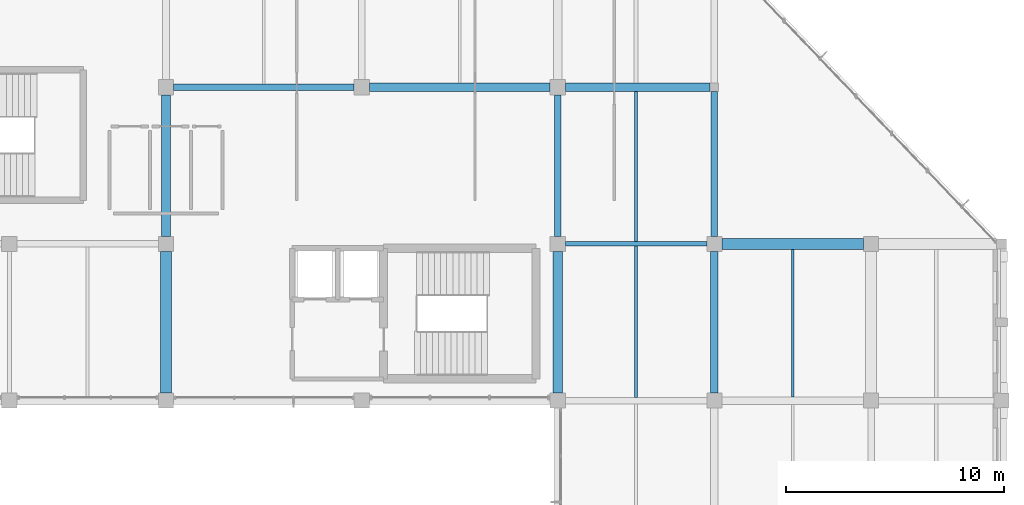
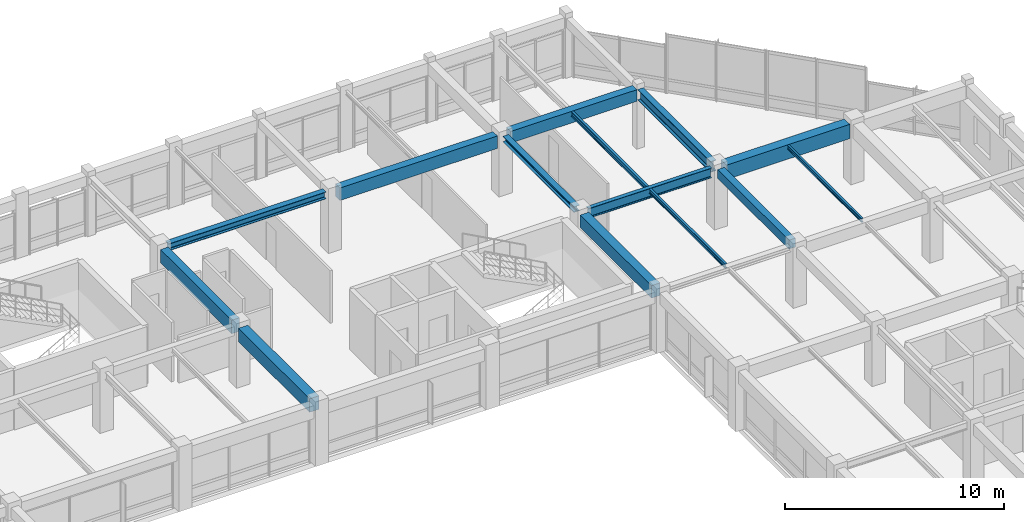
# One storey, part 29 of 52: 14 beams.
"""IFC4 building model written with IfcOpenShell, lengths in metres."""

from ifc_helpers import new_model, si_unit, direction, frame, origin, origin_2d, place, context, subcontext, project, spatial, rectangle, i_section, extrude, material, material_profile, profile_set, type_object, element, save


model = new_model("IFC4")

# Units and contexts
model_context = context("Model", 3, precision=1e-05, world=origin(), true_north=direction((0.0, 1.0)))
body_context = subcontext(model_context, "Body", "Model", "MODEL_VIEW")
ifc_project = project(units=[si_unit("LENGTHUNIT", "METRE"), si_unit("AREAUNIT", "SQUARE_METRE"), si_unit("VOLUMEUNIT", "CUBIC_METRE"), si_unit("PLANEANGLEUNIT", "RADIAN"), si_unit("MASSUNIT", "GRAM", prefix="KILO")], contexts=[model_context])

# Site, building, storey
site_placement = place(None, origin())
site = spatial("IfcSite", under=ifc_project, at=site_placement, CompositionType="ELEMENT")
building_placement = place(site_placement, origin())
building = spatial("IfcBuilding", under=site, at=building_placement, Name="Clarverna Civic Hall", CompositionType="ELEMENT")
storey_placement = place(building_placement, frame((0.0, 0.0, 16.800048828125)))
storey = spatial("IfcBuildingStorey", under=building, at=storey_placement, Name="L04", CompositionType="ELEMENT", Elevation=16.800048828125)

# Beams
ifc_material_1 = material(Name="Concrete C35/45", Category="concrete")
ifc_material_profile_1 = material_profile(ifc_material_1, rectangle(XDim=0.35009765625, YDim=0.5, at=origin_2d()), Name="RC 350x500")
ifc_profile_set_1 = profile_set([ifc_material_profile_1], Name="Concrete C35/45")
beam_type_1 = type_object("IfcBeamType", Name="B-RC10", PredefinedType="BEAM", material=ifc_profile_set_1)
beam_1_placement = place(storey_placement, frame((154.800048828125, 95.35009765625, 3.070068359375), z_axis=(0.0, 1.0, 0.0), x_axis=(-1.0, 0.0, 0.0)))
element("IfcBeam", 1, at=beam_1_placement, inside=storey, type_object=beam_type_1, Name="B-RC10-032", PredefinedType="BEAM", context=body_context, shape_type="SweptSolid", body=[
    extrude(rectangle(XDim=0.35009765625, YDim=0.5, at=origin_2d()), origin(), (0.0, 0.0, 1.0), 6.5),
])
ifc_material_profile_2 = material_profile(ifc_material_1, rectangle(XDim=0.5, YDim=0.800048828125, at=origin_2d()), Name="RC 500x800")
ifc_profile_set_2 = profile_set([ifc_material_profile_2], Name="Concrete C35/45")
beam_type_2 = type_object("IfcBeamType", Name="B-RC14", PredefinedType="BEAM", material=ifc_profile_set_2)
beam_2_placement = place(storey_placement, frame((155.14990234375, 102.199951171875, 2.919921875), z_axis=(1.0, 0.0, 0.0), x_axis=(0.0, 1.0, 0.0)))
element("IfcBeam", 2, at=beam_2_placement, inside=storey, type_object=beam_type_2, Name="B-RC14-028", PredefinedType="BEAM", context=body_context, shape_type="SweptSolid", body=[
    extrude(rectangle(XDim=0.5, YDim=0.800048828125, at=origin_2d()), origin(), (0.0, 0.0, 1.0), 6.5),
])
ifc_material_profile_3 = material_profile(ifc_material_1, rectangle(XDim=0.5, YDim=0.75, at=origin_2d()), Name="RC 500x750")
ifc_profile_set_3 = profile_set([ifc_material_profile_3], Name="Concrete C35/45")
beam_type_3 = type_object("IfcBeamType", Name="B-RC15", PredefinedType="BEAM", material=ifc_profile_set_3)
beam_3_placement = place(storey_placement, frame((129.60009765625, 95.35009765625, 2.945068359375), z_axis=(0.0, 1.0, 0.0), x_axis=(-1.0, 0.0, 0.0)))
element("IfcBeam", 3, at=beam_3_placement, inside=storey, type_object=beam_type_3, Name="B-RC15-048", PredefinedType="BEAM", context=body_context, shape_type="SweptSolid", body=[
    extrude(rectangle(XDim=0.5, YDim=0.75, at=origin_2d()), origin(), (0.0, 0.0, 1.0), 6.5),
])
ifc_material_profile_4 = material_profile(ifc_material_1, rectangle(XDim=0.39990234375, YDim=0.75, at=origin_2d()), Name="RC 400x750")
ifc_profile_set_4 = profile_set([ifc_material_profile_4], Name="Concrete C35/45")
beam_type_4 = type_object("IfcBeamType", Name="B-RC16", PredefinedType="BEAM", material=ifc_profile_set_4)
beam_4_placement = place(storey_placement, frame((129.60009765625, 102.550048828125, 2.945068359375), z_axis=(0.0, 1.0, 0.0), x_axis=(-1.0, 0.0, 0.0)))
element("IfcBeam", 4, at=beam_4_placement, inside=storey, type_object=beam_type_4, Name="B-RC16-029", PredefinedType="BEAM", context=body_context, shape_type="SweptSolid", body=[
    extrude(rectangle(XDim=0.39990234375, YDim=0.75, at=origin_2d()), origin(), (0.0, 0.0, 1.0), 6.5),
])
ifc_material_profile_5 = material_profile(ifc_material_1, rectangle(XDim=0.449951171875, YDim=0.699951171875, at=origin_2d()), Name="RC 450x700")
ifc_profile_set_5 = profile_set([ifc_material_profile_5], Name="Concrete C35/45")
beam_type_5 = type_object("IfcBeamType", Name="B-RC4", PredefinedType="BEAM", material=ifc_profile_set_5)
beam_5_placement = place(storey_placement, frame((147.60009765625, 95.35009765625, 2.969970703125), z_axis=(0.0, 1.0, 0.0), x_axis=(-1.0, 0.0, 0.0)))
element("IfcBeam", 5, at=beam_5_placement, inside=storey, type_object=beam_type_5, Name="B-RC4-029", PredefinedType="BEAM", context=body_context, shape_type="SweptSolid", body=[
    extrude(rectangle(XDim=0.449951171875, YDim=0.699951171875, at=origin_2d()), origin(), (0.0, 0.0, 1.0), 6.5),
])
ifc_material_profile_6 = material_profile(ifc_material_1, rectangle(XDim=0.39990234375, YDim=0.699951171875, at=origin_2d()), Name="RC 400x700")
ifc_profile_set_6 = profile_set([ifc_material_profile_6], Name="Concrete C35/45")
beam_type_6 = type_object("IfcBeamType", Name="B-RC5", PredefinedType="BEAM", material=ifc_profile_set_6)
beam_6_placement = place(storey_placement, frame((138.949951171875, 109.39990234375, 2.969970703125), z_axis=(1.0, 0.0, 0.0), x_axis=(0.0, 1.0, 0.0)))
element("IfcBeam", 6, at=beam_6_placement, inside=storey, type_object=beam_type_6, Name="B-RC5-035", PredefinedType="BEAM", context=body_context, shape_type="SweptSolid", body=[
    extrude(rectangle(XDim=0.39990234375, YDim=0.699951171875, at=origin_2d()), origin(), (0.0, 0.0, 1.0), 8.300048828125),
])
ifc_material_profile_7 = material_profile(ifc_material_1, rectangle(XDim=0.39990234375, YDim=0.64990234375, at=origin_2d()), Name="RC 400x650")
ifc_profile_set_7 = profile_set([ifc_material_profile_7], Name="Concrete C35/45")
beam_type_7 = type_object("IfcBeamType", Name="B-RC6", PredefinedType="BEAM", material=ifc_profile_set_7)
beam_7_placement = place(storey_placement, frame((147.949951171875, 109.39990234375, 2.994873046875), z_axis=(1.0, 0.0, 0.0), x_axis=(0.0, 1.0, 0.0)))
element("IfcBeam", 7, at=beam_7_placement, inside=storey, type_object=beam_type_7, Name="B-RC6-049", PredefinedType="BEAM", context=body_context, shape_type="SweptSolid", body=[
    extrude(rectangle(XDim=0.39990234375, YDim=0.64990234375, at=origin_2d()), origin(), (0.0, 0.0, 1.0), 6.650146484375),
])
ifc_material_2 = material(Name="Steel S355", Category="steel")
ifc_material_profile_8 = material_profile(ifc_material_2, i_section(OverallWidth=0.300048828125, OverallDepth=0.60009765625, WebThickness=0.015380859375, FlangeThickness=0.030029296875, FilletRadius=0.027099609375, at=origin_2d()), Name="HEB 600")
ifc_profile_set_8 = profile_set([ifc_material_profile_8], Name="Steel S355")
beam_type_8 = type_object("IfcBeamType", Name="B-ST1", PredefinedType="BEAM", material=ifc_profile_set_8)
beam_8_placement = place(storey_placement, frame((154.800048828125, 102.550048828125, 3.02001953125), z_axis=(0.0, 1.0, 0.0), x_axis=(-1.0, 0.0, 0.0)))
element("IfcBeam", 8, at=beam_8_placement, inside=storey, type_object=beam_type_8, Name="B-ST1-021", PredefinedType="BEAM", context=body_context, shape_type="SweptSolid", body=[
    extrude(i_section(OverallWidth=0.300048828125, OverallDepth=0.60009765625, WebThickness=0.015380859375, FlangeThickness=0.030029296875, FilletRadius=0.027099609375, at=origin_2d()), origin(), (0.0, 0.0, 1.0), 6.64990234375),
])
ifc_material_profile_9 = material_profile(ifc_material_2, i_section(OverallWidth=0.2099609375, OverallDepth=0.550048828125, WebThickness=0.010986328125, FlangeThickness=0.01708984375, FilletRadius=0.02392578125, at=origin_2d()), Name="IPE 550")
ifc_profile_set_9 = profile_set([ifc_material_profile_9], Name="Steel S355")
beam_type_9 = type_object("IfcBeamType", Name="B-ST11", PredefinedType="BEAM", material=ifc_profile_set_9)
beam_9_placement = place(storey_placement, frame((147.949951171875, 102.199951171875, 3.044921875), z_axis=(1.0, 0.0, 0.0), x_axis=(0.0, 1.0, 0.0)))
element("IfcBeam", 9, at=beam_9_placement, inside=storey, type_object=beam_type_9, Name="B-ST11-020", PredefinedType="BEAM", context=body_context, shape_type="SweptSolid", body=[
    extrude(i_section(OverallWidth=0.2099609375, OverallDepth=0.550048828125, WebThickness=0.010986328125, FlangeThickness=0.01708984375, FilletRadius=0.02392578125, at=origin_2d()), origin(), (0.0, 0.0, 1.0), 6.5),
])
ifc_material_profile_10 = material_profile(ifc_material_2, i_section(OverallWidth=0.300048828125, OverallDepth=0.389892578125, WebThickness=0.010986328125, FlangeThickness=0.01904296875, FilletRadius=0.027099609375, at=origin_2d()), Name="HEA 400")
ifc_profile_set_10 = profile_set([ifc_material_profile_10], Name="Steel S355")
beam_type_10 = type_object("IfcBeamType", Name="B-ST6", PredefinedType="BEAM", material=ifc_profile_set_10)
beam_10_placement = place(storey_placement, frame((129.949951171875, 109.39990234375, 3.125), z_axis=(1.0, 0.0, 0.0), x_axis=(0.0, 1.0, 0.0)))
element("IfcBeam", 10, at=beam_10_placement, inside=storey, type_object=beam_type_10, Name="B-ST6-019", PredefinedType="BEAM", context=body_context, shape_type="SweptSolid", body=[
    extrude(i_section(OverallWidth=0.300048828125, OverallDepth=0.389892578125, WebThickness=0.010986328125, FlangeThickness=0.01904296875, FilletRadius=0.027099609375, at=origin_2d()), origin(), (0.0, 0.0, 1.0), 8.300048828125),
])
ifc_material_profile_11 = material_profile(ifc_material_2, i_section(OverallWidth=0.300048828125, OverallDepth=0.31005859375, WebThickness=0.009033203125, FlangeThickness=0.015380859375, FilletRadius=0.027099609375, at=origin_2d()), Name="HEA 320")
ifc_profile_set_11 = profile_set([ifc_material_profile_11], Name="Steel S355")
beam_type_11 = type_object("IfcBeamType", Name="B-ST9", PredefinedType="BEAM", material=ifc_profile_set_11)
beam_11_placement = place(storey_placement, frame((147.60009765625, 102.550048828125, 3.1650390625), z_axis=(0.0, 1.0, 0.0), x_axis=(-1.0, 0.0, 0.0)))
element("IfcBeam", 11, at=beam_11_placement, inside=storey, type_object=beam_type_11, Name="B-ST9-090", PredefinedType="BEAM", context=body_context, shape_type="SweptSolid", body=[
    extrude(i_section(OverallWidth=0.300048828125, OverallDepth=0.31005859375, WebThickness=0.009033203125, FlangeThickness=0.015380859375, FilletRadius=0.027099609375, at=origin_2d()), origin(), (0.0, 0.0, 1.0), 6.5),
])
ifc_material_profile_12 = material_profile(ifc_material_2, i_section(OverallWidth=0.135009765625, OverallDepth=0.27001953125, WebThickness=0.006591796875, FlangeThickness=0.01025390625, FilletRadius=0.014892578125, at=origin_2d()), Name="IPE 270")
ifc_profile_set_12 = profile_set([ifc_material_profile_12], Name="Steel S355")
beam_type_12 = type_object("IfcBeamType", Name="J-ST4", PredefinedType="JOIST", material=ifc_profile_set_12)
beam_12_placement = place(storey_placement, frame((151.199951171875, 102.304931640625, 3.18505859375), z_axis=(0.0, 1.0, 0.0), x_axis=(-1.0, 0.0, 0.0)))
element("IfcBeam", 12, at=beam_12_placement, inside=storey, type_object=beam_type_12, Name="J-ST4-073", PredefinedType="JOIST", context=body_context, shape_type="SweptSolid", body=[
    extrude(i_section(OverallWidth=0.135009765625, OverallDepth=0.27001953125, WebThickness=0.006591796875, FlangeThickness=0.01025390625, FilletRadius=0.014892578125, at=origin_2d()), origin(), (0.0, 0.0, 1.0), 6.89501953125),
])
ifc_material_profile_13 = material_profile(ifc_material_2, i_section(OverallWidth=0.1201171875, OverallDepth=0.239990234375, WebThickness=0.006103515625, FlangeThickness=0.009765625, FilletRadius=0.014892578125, at=origin_2d()), Name="IPE 240")
ifc_profile_set_13 = profile_set([ifc_material_profile_13], Name="Steel S355")
beam_type_13 = type_object("IfcBeamType", Name="J-ST5", PredefinedType="JOIST", material=ifc_profile_set_13)
beam_13_placement = place(storey_placement, frame((151.199951171875, 95.14990234375, 3.199951171875), z_axis=(0.0, 1.0, 0.0), x_axis=(-1.0, 0.0, 0.0)))
element("IfcBeam", 13, at=beam_13_placement, inside=storey, type_object=beam_type_13, Name="J-ST5-069", PredefinedType="JOIST", context=body_context, shape_type="SweptSolid", body=[
    extrude(i_section(OverallWidth=0.1201171875, OverallDepth=0.239990234375, WebThickness=0.006103515625, FlangeThickness=0.009765625, FilletRadius=0.014892578125, at=origin_2d()), origin(), (0.0, 0.0, 1.0), 6.945068359375),
])
ifc_material_profile_14 = material_profile(ifc_material_2, i_section(OverallWidth=0.110107421875, OverallDepth=0.219970703125, WebThickness=0.005859375, FlangeThickness=0.00927734375, FilletRadius=0.011962890625, at=origin_2d()), Name="IPE 220")
ifc_profile_set_14 = profile_set([ifc_material_profile_14], Name="Steel S355")
beam_type_14 = type_object("IfcBeamType", Name="J-ST6", PredefinedType="JOIST", material=ifc_profile_set_14)
beam_14_placement = place(storey_placement, frame((158.39990234375, 95.175048828125, 3.2099609375), z_axis=(0.0, 1.0, 0.0), x_axis=(-1.0, 0.0, 0.0)))
element("IfcBeam", 14, at=beam_14_placement, inside=storey, type_object=beam_type_14, Name="J-ST6-069", PredefinedType="JOIST", context=body_context, shape_type="SweptSolid", body=[
    extrude(i_section(OverallWidth=0.110107421875, OverallDepth=0.219970703125, WebThickness=0.005859375, FlangeThickness=0.00927734375, FilletRadius=0.011962890625, at=origin_2d()), origin(), (0.0, 0.0, 1.0), 6.77490234375),
])

save(model, "model.ifc")
